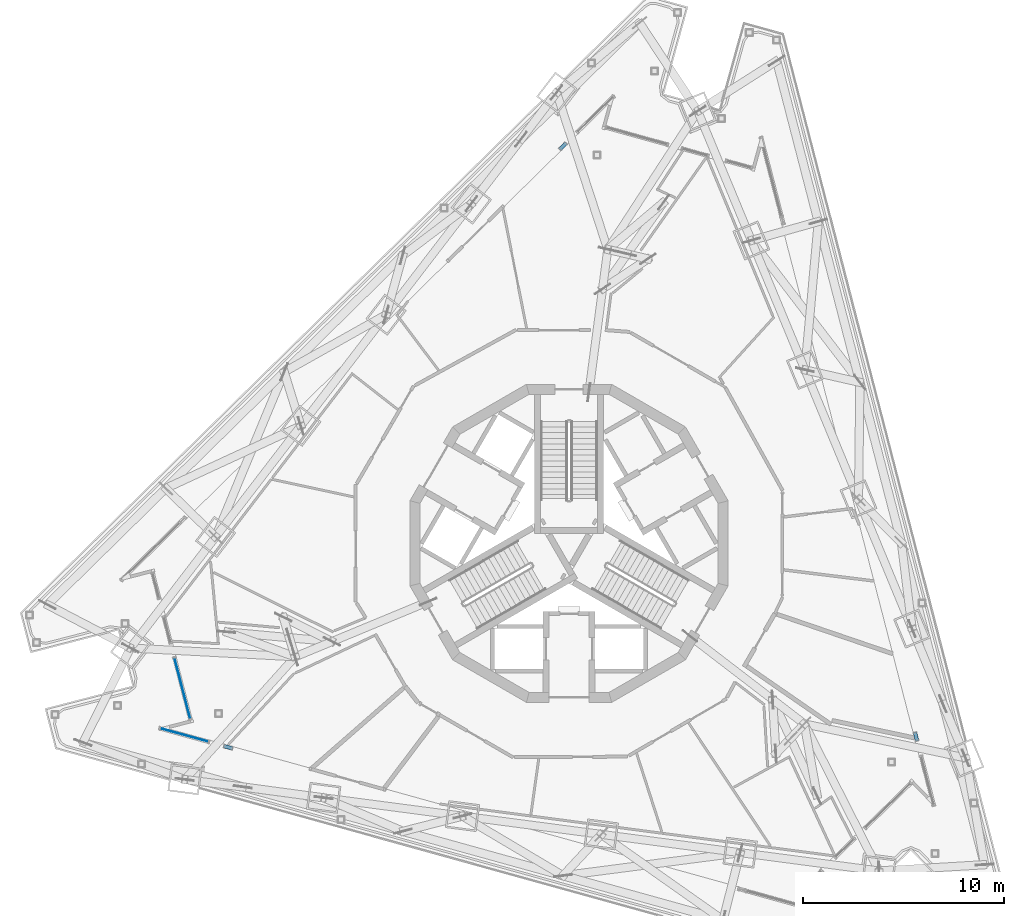
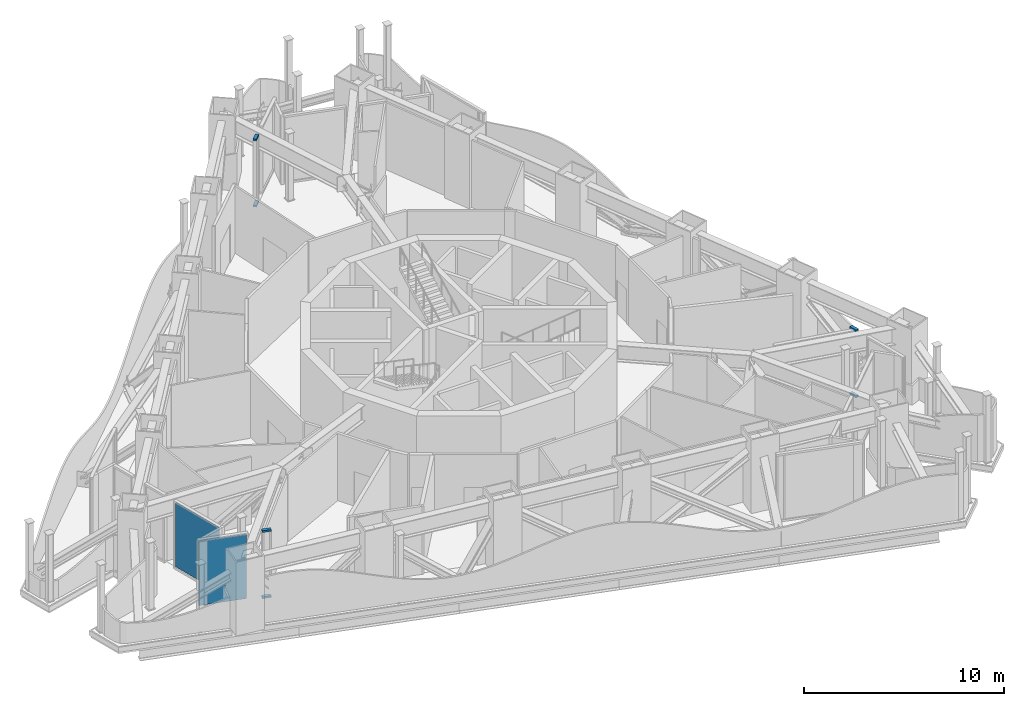
# One storey, part 5 of 22: 6 members, 2 plates, 5 elements without a shape of their own.
"""IFC4 building model written with IfcOpenShell, lengths in metres."""

from ifc_helpers import new_model, si_unit, direction, frame, origin, origin_2d, place, context, subcontext, project, spatial, rectangle, extrude, material, layer, layer_set, material_profile, profile_set, type_object, element, aggregate, save


model = new_model("IFC4")

# Units and contexts
model_context = context("Model", 3, precision=1e-05, world=origin(), true_north=direction((0.0, 1.0)))
body_context = subcontext(model_context, "Body", "Model", "MODEL_VIEW")
ifc_project = project(units=[si_unit("LENGTHUNIT", "METRE"), si_unit("AREAUNIT", "SQUARE_METRE"), si_unit("VOLUMEUNIT", "CUBIC_METRE"), si_unit("PLANEANGLEUNIT", "RADIAN"), si_unit("MASSUNIT", "GRAM", prefix="KILO")], contexts=[model_context])

# Site, building, storey
site_placement = place(None, origin())
site = spatial("IfcSite", under=ifc_project, at=site_placement, CompositionType="ELEMENT")
building_placement = place(site_placement, origin())
building = spatial("IfcBuilding", under=site, at=building_placement, Name="Trine Commons Tower", CompositionType="ELEMENT")
storey_placement = place(building_placement, frame((0.0, 0.0, 267.300048828125)))
storey = spatial("IfcBuildingStorey", under=building, at=storey_placement, Name="L70", CompositionType="ELEMENT", Elevation=267.300048828125)

# Curtain wall, members
ifc_material_1 = material(Name="Sky lounge glazing: anodised aluminium frame with low-emissivity double glazed unit, solar control", Category="aluminium")
ifc_layer_1 = layer(ifc_material_1, 0.179931640625)
ifc_layer_set_1 = layer_set([ifc_layer_1], Name="Sky lounge glazing: anodised aluminium frame with low-emissivity double glazed unit, solar control")
curtain_wall_type = type_object("IfcCurtainWallType", Name="Sky lounge glazing curtain wall CW5", PredefinedType="NOTDEFINED", material=ifc_layer_set_1)
curtain_wall_1_placement = place(storey_placement, origin())
curtain_wall_1 = element("IfcCurtainWall", 1, at=curtain_wall_1_placement, inside=storey, type_object=curtain_wall_type, Name="Sky lounge glazing L70 F1.2", PredefinedType="NOTDEFINED")
ifc_material_2 = material(Name="Anodised aluminium, bronze finish", Category="aluminium")
ifc_material_profile = material_profile(ifc_material_2, rectangle(XDim=0.179931640625, YDim=0.110107421875, at=origin_2d()), Name="Transom 110x180")
ifc_profile_set = profile_set([ifc_material_profile], Name="Anodised aluminium, bronze finish")
member_type = type_object("IfcMemberType", Name="Transom 110x180, Anodised aluminium, bronze finish", PredefinedType="USERDEFINED", material=ifc_profile_set)
member_1_placement = place(storey_placement, frame((79.53076171875, 82.11279296875, 0.054931640625), z_axis=(0.713448160609, 0.700708014884, 0.0), x_axis=(-0.700708014884, 0.713448160609, 0.0)))
member_1 = element("IfcMember", 2, at=member_1_placement, type_object=member_type, Name="CW5 transom T00", ObjectType="TRANSOM", PredefinedType="USERDEFINED", context=body_context, shape_type="SweptSolid", body=[
    extrude(rectangle(XDim=0.179931640625, YDim=0.110107421875, at=origin_2d()), origin(), (0.0, 0.0, 1.0), 0.4599609375),
])
member_2_placement = place(storey_placement, frame((79.53076171875, 82.11279296875, 4.094970703125), z_axis=(0.713448160609, 0.700708014884, 0.0), x_axis=(-0.700708014884, 0.713448160609, 0.0)))
member_2 = element("IfcMember", 3, at=member_2_placement, type_object=member_type, Name="CW5 transom TH00", ObjectType="TRANSOM", PredefinedType="USERDEFINED", context=body_context, shape_type="SweptSolid", body=[
    extrude(rectangle(XDim=0.179931640625, YDim=0.110107421875, at=origin_2d()), origin(), (0.0, 0.0, 1.0), 0.4599609375),
])
aggregate(curtain_wall_1, [member_1, member_2])

curtain_wall_2_placement = place(storey_placement, origin())
curtain_wall_2 = element("IfcCurtainWall", 4, at=curtain_wall_2_placement, inside=storey, type_object=curtain_wall_type, Name="Sky lounge glazing L70 F2.2", PredefinedType="NOTDEFINED")
member_3_placement = place(storey_placement, frame((97.2197265625, 53.099853515625, 0.054931640625), z_axis=(0.25064884823, -0.96807807272, 0.0), x_axis=(0.96807807272, 0.25064884823, 0.0)))
member_3 = element("IfcMember", 5, at=member_3_placement, type_object=member_type, Name="CW5 transom T00", ObjectType="TRANSOM", PredefinedType="USERDEFINED", context=body_context, shape_type="SweptSolid", body=[
    extrude(rectangle(XDim=0.179931640625, YDim=0.110107421875, at=origin_2d()), origin(), (0.0, 0.0, 1.0), 0.459716796875),
])
member_4_placement = place(storey_placement, frame((97.2197265625, 53.099853515625, 4.094970703125), z_axis=(0.25064884823, -0.96807807272, 0.0), x_axis=(0.96807807272, 0.25064884823, 0.0)))
member_4 = element("IfcMember", 6, at=member_4_placement, type_object=member_type, Name="CW5 transom TH00", ObjectType="TRANSOM", PredefinedType="USERDEFINED", context=body_context, shape_type="SweptSolid", body=[
    extrude(rectangle(XDim=0.179931640625, YDim=0.110107421875, at=origin_2d()), origin(), (0.0, 0.0, 1.0), 0.459716796875),
])
aggregate(curtain_wall_2, [member_3, member_4])

curtain_wall_3_placement = place(storey_placement, origin())
curtain_wall_3 = element("IfcCurtainWall", 7, at=curtain_wall_3_placement, inside=storey, type_object=curtain_wall_type, Name="Sky lounge glazing L70 F3.2", PredefinedType="NOTDEFINED")
member_5_placement = place(storey_placement, frame((63.249267578125, 52.287353515625, 0.054931640625), z_axis=(-0.963639580355, 0.267205462469, 0.0), x_axis=(-0.267205462469, -0.963639580355, 0.0)))
member_5 = element("IfcMember", 8, at=member_5_placement, type_object=member_type, Name="CW5 transom T00", ObjectType="TRANSOM", PredefinedType="USERDEFINED", context=body_context, shape_type="SweptSolid", body=[
    extrude(rectangle(XDim=0.179931640625, YDim=0.110107421875, at=origin_2d()), origin(), (0.0, 0.0, 1.0), 0.45947265625),
])
member_6_placement = place(storey_placement, frame((63.249267578125, 52.287353515625, 4.094970703125), z_axis=(-0.963639580355, 0.267205462469, 0.0), x_axis=(-0.267205462469, -0.963639580355, 0.0)))
member_6 = element("IfcMember", 9, at=member_6_placement, type_object=member_type, Name="CW5 transom TH00", ObjectType="TRANSOM", PredefinedType="USERDEFINED", context=body_context, shape_type="SweptSolid", body=[
    extrude(rectangle(XDim=0.179931640625, YDim=0.110107421875, at=origin_2d()), origin(), (0.0, 0.0, 1.0), 0.45947265625),
])
aggregate(curtain_wall_3, [member_5, member_6])

# Curtain wall, plate
curtain_wall_4_placement = place(storey_placement, origin())
curtain_wall_4 = element("IfcCurtainWall", 10, at=curtain_wall_4_placement, inside=storey, type_object=curtain_wall_type, Name="Sky lounge glazing L70 F3.3", PredefinedType="NOTDEFINED")
ifc_material_3 = material(Name="Low-emissivity double glazed unit, solar control")
ifc_layer_2 = layer(ifc_material_3, 0.031982421875)
ifc_layer_set_2 = layer_set([ifc_layer_2], Name="Low-emissivity double glazed unit, solar control")
plate_type = type_object("IfcPlateType", Name="Double glazed unit 32 mm (sky floors)", PredefinedType="CURTAIN_PANEL", material=ifc_layer_set_2)
plate_1_placement = place(storey_placement, frame((60.841796875, 52.955078125, 0.10986328125), z_axis=(0.0, 0.0, 1.0), x_axis=(-0.963630453209, 0.267238376078, 0.0)))
plate_1 = element("IfcPlate", 11, at=plate_1_placement, type_object=plate_type, Name="CW5 panel 1.1", PredefinedType="CURTAIN_PANEL", context=body_context, shape_type="SweptSolid", body=[
    extrude(rectangle(XDim=2.461181640625, YDim=0.031982421875, at=origin_2d()), origin(), (0.0, 0.0, 1.0), 3.929931640625),
])
aggregate(curtain_wall_4, [plate_1])

curtain_wall_5_placement = place(storey_placement, origin())
curtain_wall_5 = element("IfcCurtainWall", 12, at=curtain_wall_5_placement, inside=storey, type_object=curtain_wall_type, Name="Sky lounge glazing L70 P3.1", PredefinedType="NOTDEFINED")
plate_2_placement = place(storey_placement, frame((60.749267578125, 55.279541015625, 0.10986328125), z_axis=(0.0, 0.0, 1.0), x_axis=(-0.250380004054, 0.968147640378, 0.0)))
plate_2 = element("IfcPlate", 13, at=plate_2_placement, type_object=plate_type, Name="CW5 panel 1.1", PredefinedType="CURTAIN_PANEL", context=body_context, shape_type="SweptSolid", body=[
    extrude(rectangle(XDim=3.109130859375, YDim=0.031982421875, at=origin_2d()), origin(), (0.0, 0.0, 1.0), 3.929931640625),
])
aggregate(curtain_wall_5, [plate_2])

save(model, "model.ifc")
